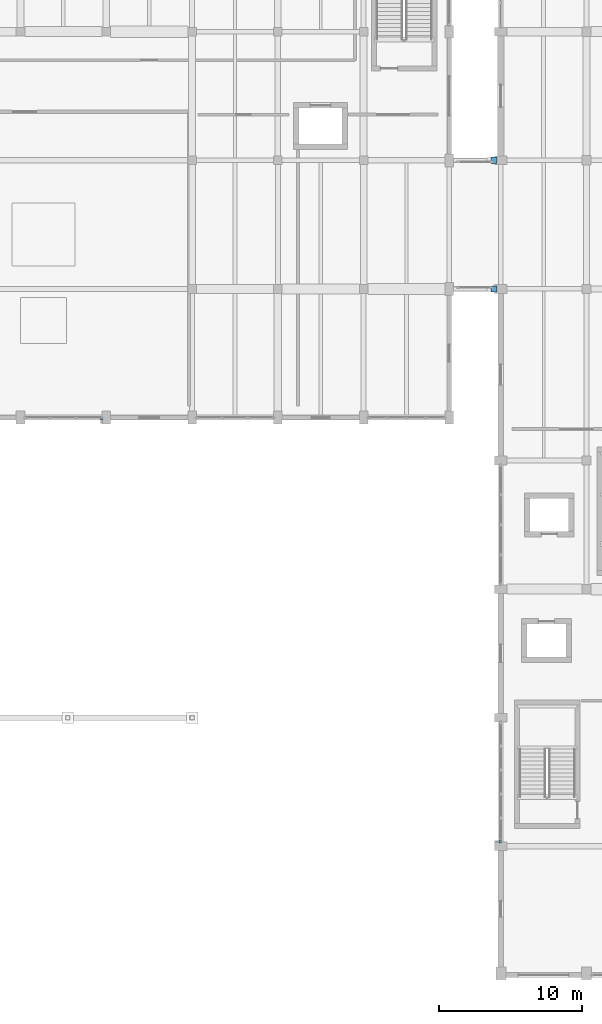
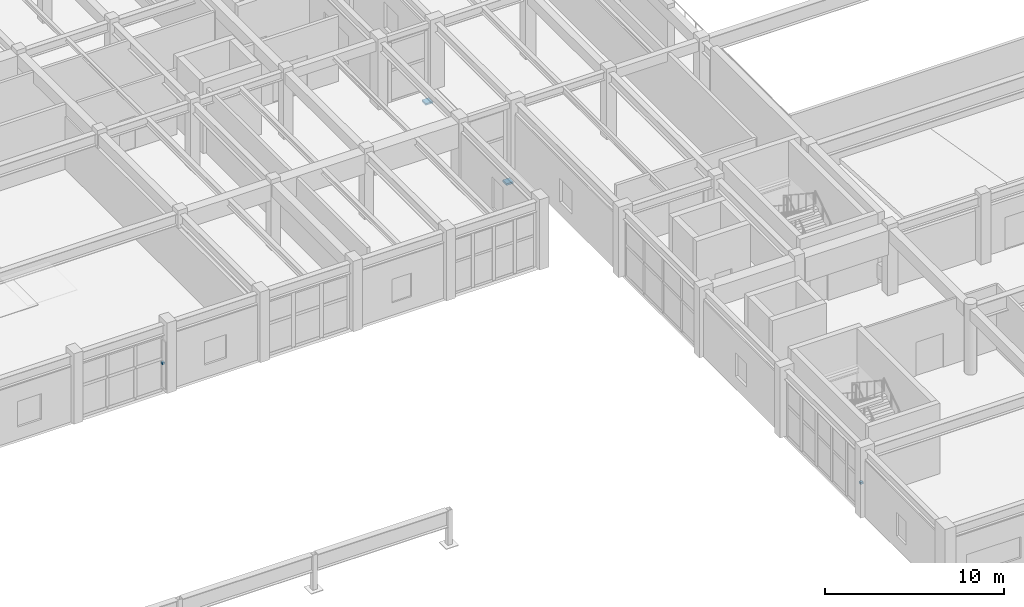
# One storey, part 69 of 85: 4 discrete accessories.
"""IFC4 building model written with IfcOpenShell, lengths in metres."""

from ifc_helpers import new_model, si_unit, direction, frame, origin, origin_2d, place, context, subcontext, project, spatial, rectangle, extrude, material, layer, layer_set, type_object, element, save


model = new_model("IFC4")

# Units and contexts
model_context = context("Model", 3, precision=1e-05, world=origin(), true_north=direction((0.0, 1.0)))
body_context = subcontext(model_context, "Body", "Model", "MODEL_VIEW")
ifc_project = project(units=[si_unit("LENGTHUNIT", "METRE"), si_unit("AREAUNIT", "SQUARE_METRE"), si_unit("VOLUMEUNIT", "CUBIC_METRE"), si_unit("PLANEANGLEUNIT", "RADIAN"), si_unit("MASSUNIT", "GRAM", prefix="KILO")], contexts=[model_context])

# Site, building, storey
site_placement = place(None, origin())
site = spatial("IfcSite", under=ifc_project, at=site_placement, CompositionType="ELEMENT")
building_placement = place(site_placement, origin())
building = spatial("IfcBuilding", under=site, at=building_placement, Name="Vaelkrest Opera House", CompositionType="ELEMENT")
storey_placement = place(building_placement, frame((0.0, 0.0, 10.199951171875)))
storey = spatial("IfcBuildingStorey", under=building, at=storey_placement, Name="L02", CompositionType="ELEMENT", Elevation=10.199951171875)

# Discrete accessories
ifc_material_1 = material(Name="Steel A572 Gr50", Category="steel")
ifc_layer_1 = layer(ifc_material_1, 0.139892578125)
ifc_layer_set_1 = layer_set([ifc_layer_1], Name="Steel A572 Gr50")
discrete_accessory_type_1 = type_object("IfcDiscreteAccessoryType", Name="BRK01", PredefinedType="BRACKET", material=ifc_layer_set_1)
for number, where, z_axis, x_axis, name in (
    (1, (-30.0400390625, -46.4619140625, 1.84423828125), (0.0, 0.0, 1.0), (-1.0, 0.0, 0.0), "Shading fin bracket 03"),
    (2, (-57.93310546875, -16.840087890625, 1.80224609375), (0.0, 0.0, 1.0), (0.0, -1.0, 0.0), "Shading fin bracket 13"),
):
    element("IfcDiscreteAccessory", number, at=place(storey_placement, frame(where, z_axis=z_axis, x_axis=x_axis)), inside=storey, type_object=discrete_accessory_type_1, Name=name, PredefinedType="BRACKET", context=body_context, shape_type="SweptSolid", body=[
        extrude(rectangle(XDim=0.179931640625, YDim=0.179931640625, at=origin_2d()), origin(), (0.0, 0.0, 1.0), 0.139892578125),
    ])
ifc_material_2 = material(Name="PTFE elastomeric bearing Steel A572 Gr50", Category="steel")
ifc_layer_2 = layer(ifc_material_2, 0.1201171875)
ifc_layer_set_2 = layer_set([ifc_layer_2], Name="PTFE elastomeric bearing Steel A572 Gr50")
discrete_accessory_type_2 = type_object("IfcDiscreteAccessoryType", Name="SB01", PredefinedType="USERDEFINED", material=ifc_layer_set_2)
for number, where, z_axis, x_axis, name in (
    (3, (-30.47509765625, -7.800048828125, -0.949951171875), (0.0, 0.0, 1.0), (1.0, 0.0, 0.0), "Unguided PTFE sliding bearing BR-W-L02 S"),
    (4, (-30.47509765625, 1.199951171875, -0.949951171875), (0.0, 0.0, 1.0), (1.0, 0.0, 0.0), "Unguided PTFE sliding bearing BR-W-L02 N"),
):
    element("IfcDiscreteAccessory", number, at=place(storey_placement, frame(where, z_axis=z_axis, x_axis=x_axis)), inside=storey, type_object=discrete_accessory_type_2, Name=name, ObjectType="SLIDING BEARING", PredefinedType="USERDEFINED", context=body_context, shape_type="SweptSolid", body=[
        extrude(rectangle(XDim=0.449951171875, YDim=0.449951171875, at=origin_2d()), origin(), (0.0, 0.0, 1.0), 0.1201171875),
    ])

save(model, "model.ifc")
